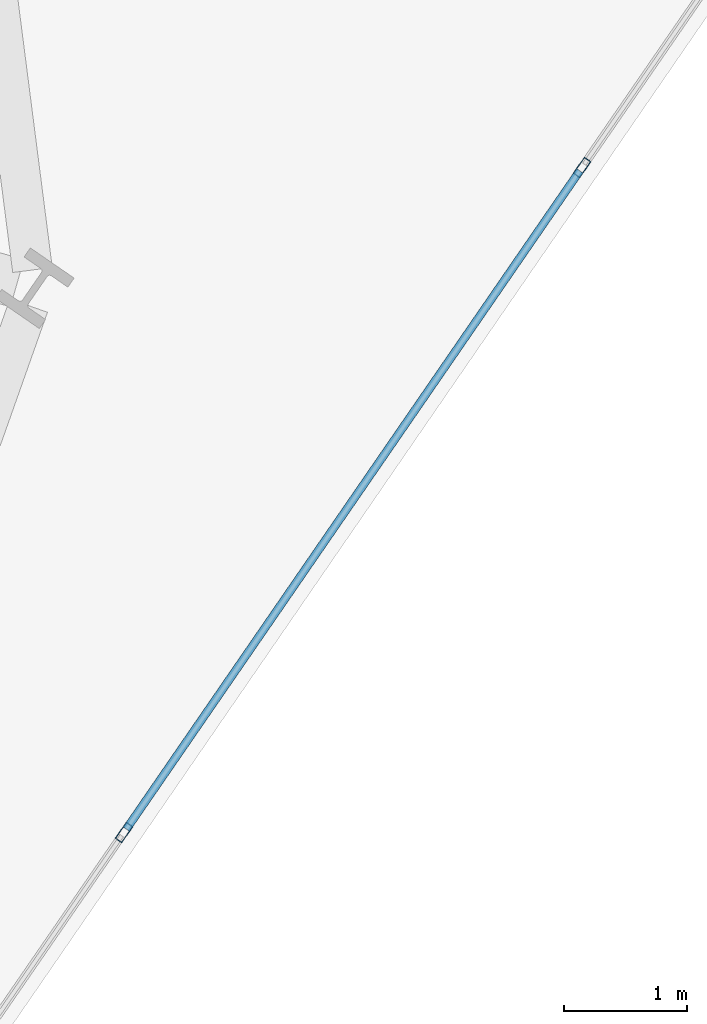
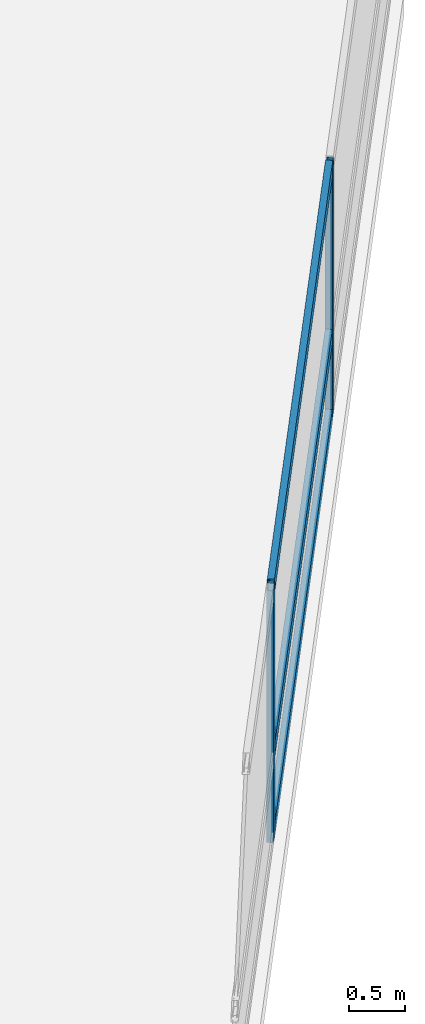
# One storey, part 9 of 25: 5 members, 1 element without a shape of its own.
"""IFC4 building model written with IfcOpenShell, lengths in metres."""

from ifc_helpers import new_model, si_unit, direction, frame, origin, origin_2d, place, context, subcontext, project, spatial, hollow_rectangle, extrude, material, layer, layer_set, material_profile, profile_set, type_object, element, aggregate, save


model = new_model("IFC4")

# Units and contexts
model_context = context("Model", 3, precision=1e-05, world=origin(), true_north=direction((0.0, 1.0)))
body_context = subcontext(model_context, "Body", "Model", "MODEL_VIEW")
ifc_project = project(units=[si_unit("LENGTHUNIT", "METRE"), si_unit("AREAUNIT", "SQUARE_METRE"), si_unit("VOLUMEUNIT", "CUBIC_METRE"), si_unit("PLANEANGLEUNIT", "RADIAN"), si_unit("MASSUNIT", "GRAM", prefix="KILO")], contexts=[model_context])

# Site, building, storey
site_placement = place(None, origin())
site = spatial("IfcSite", under=ifc_project, at=site_placement, CompositionType="ELEMENT")
building_placement = place(site_placement, origin())
building = spatial("IfcBuilding", under=site, at=building_placement, Name="Varnelok Gate Tower", CompositionType="ELEMENT")
storey_placement = place(building_placement, frame((0.0, 0.0, 34.39990234375)))
storey = spatial("IfcBuildingStorey", under=building, at=storey_placement, Name="L07", CompositionType="ELEMENT", Elevation=34.39990234375)

# Curtain wall, members
ifc_material = material(Name="Anodized Aluminum Alloy 6063-T6", Category="aluminium")
ifc_layer = layer(ifc_material, 0.179931640625)
ifc_layer_set = layer_set([ifc_layer], Name="Anodized Aluminum Alloy 6063-T6")
curtain_wall_type = type_object("IfcCurtainWallType", Name="CW3-HOTEL-VISION", PredefinedType="USERDEFINED", material=ifc_layer_set)
curtain_wall_placement = place(storey_placement, origin())
curtain_wall = element("IfcCurtainWall", 1, at=curtain_wall_placement, inside=storey, type_object=curtain_wall_type, Name="L07 East End Vision Curtain Wall", ObjectType="UNITISED CURTAIN WALL", PredefinedType="USERDEFINED")
ifc_material_profile_1 = material_profile(ifc_material, hollow_rectangle(XDim=0.06494140625, YDim=0.159912109375, WallThickness=0.00390625, at=origin_2d()), Name="ALU160X65X4")
ifc_profile_set_1 = profile_set([ifc_material_profile_1], Name="Anodized Aluminum Alloy 6063-T6")
member_type_1 = type_object("IfcMemberType", Name="CW-MULL-160", PredefinedType="MULLION", material=ifc_profile_set_1)
member_1_placement = place(storey_placement, frame((78.8173828125, 13.958251953125, 0.0), z_axis=(0.0, 0.0, 1.0), x_axis=(0.823532685111, -0.567268822124, 0.0)))
member_1 = element("IfcMember", 2, at=member_1_placement, type_object=member_type_1, Name="CW3 mullion 2", PredefinedType="MULLION", context=body_context, shape_type="SweptSolid", body=[
    extrude(hollow_rectangle(XDim=0.06494140625, YDim=0.159912109375, WallThickness=0.00390625, at=origin_2d()), origin(), (0.0, 0.0, 1.0), 2.72998046875),
])
member_2_placement = place(storey_placement, frame((75.09228515625, 8.55029296875, 0.0), z_axis=(0.0, 0.0, 1.0), x_axis=(0.823532685111, -0.567268822124, 0.0)))
member_2 = element("IfcMember", 3, at=member_2_placement, type_object=member_type_1, Name="CW3 mullion 3", PredefinedType="MULLION", context=body_context, shape_type="SweptSolid", body=[
    extrude(hollow_rectangle(XDim=0.06494140625, YDim=0.159912109375, WallThickness=0.00390625, at=origin_2d()), origin(), (0.0, 0.0, 1.0), 2.72998046875),
])
ifc_material_profile_2 = material_profile(ifc_material, hollow_rectangle(XDim=0.06494140625, YDim=0.159912109375, WallThickness=0.00390625, at=origin_2d()), Name="ALU160X65X4")
ifc_profile_set_2 = profile_set([ifc_material_profile_2], Name="Anodized Aluminum Alloy 6063-T6")
member_type_2 = type_object("IfcMemberType", Name="CW-TRAN-160", PredefinedType="USERDEFINED", material=ifc_profile_set_2)
member_3_placement = place(storey_placement, frame((78.798828125, 13.931396484375, 0.03271484375), z_axis=(-0.567279204469, -0.823525533409, 0.0), x_axis=(0.823525533409, -0.567279204469, 0.0)))
member_3 = element("IfcMember", 4, at=member_3_placement, type_object=member_type_2, Name="CW3 transom 2.1", ObjectType="TRANSOM", PredefinedType="USERDEFINED", context=body_context, shape_type="SweptSolid", body=[
    extrude(hollow_rectangle(XDim=0.06494140625, YDim=0.159912109375, WallThickness=0.00390625, at=origin_2d()), origin(), (0.0, 0.0, 1.0), 6.501708984375),
])
member_4_placement = place(storey_placement, frame((78.798828125, 13.931396484375, 0.900146484375), z_axis=(-0.567279204469, -0.823525533409, 0.0), x_axis=(0.823525533409, -0.567279204469, 0.0)))
member_4 = element("IfcMember", 5, at=member_4_placement, type_object=member_type_2, Name="CW3 transom 2.2", ObjectType="TRANSOM", PredefinedType="USERDEFINED", context=body_context, shape_type="SweptSolid", body=[
    extrude(hollow_rectangle(XDim=0.06494140625, YDim=0.159912109375, WallThickness=0.00390625, at=origin_2d()), origin(), (0.0, 0.0, 1.0), 6.501708984375),
])
member_5_placement = place(storey_placement, frame((78.798828125, 13.931396484375, 2.697509765625), z_axis=(-0.567279204469, -0.823525533409, 0.0), x_axis=(0.823525533409, -0.567279204469, 0.0)))
member_5 = element("IfcMember", 6, at=member_5_placement, type_object=member_type_2, Name="CW3 transom 2.3", ObjectType="TRANSOM", PredefinedType="USERDEFINED", context=body_context, shape_type="SweptSolid", body=[
    extrude(hollow_rectangle(XDim=0.06494140625, YDim=0.159912109375, WallThickness=0.00390625, at=origin_2d()), origin(), (0.0, 0.0, 1.0), 6.501708984375),
])
aggregate(curtain_wall, [member_1, member_2, member_3, member_4, member_5])

save(model, "model.ifc")
